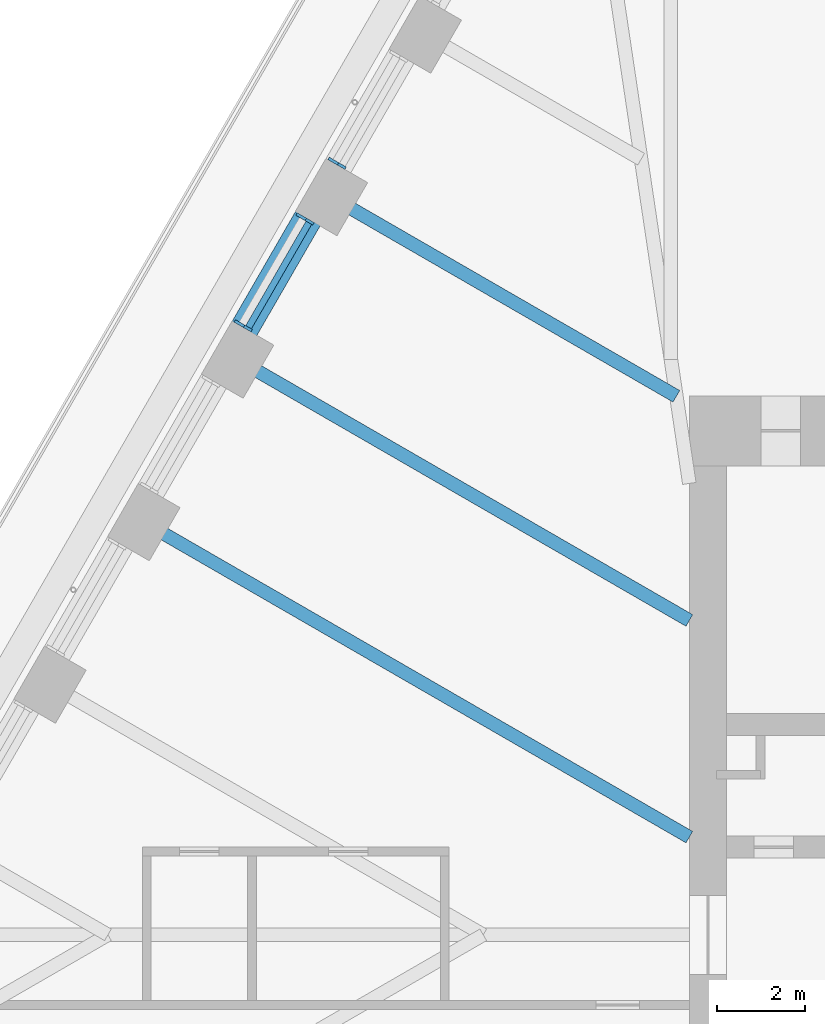
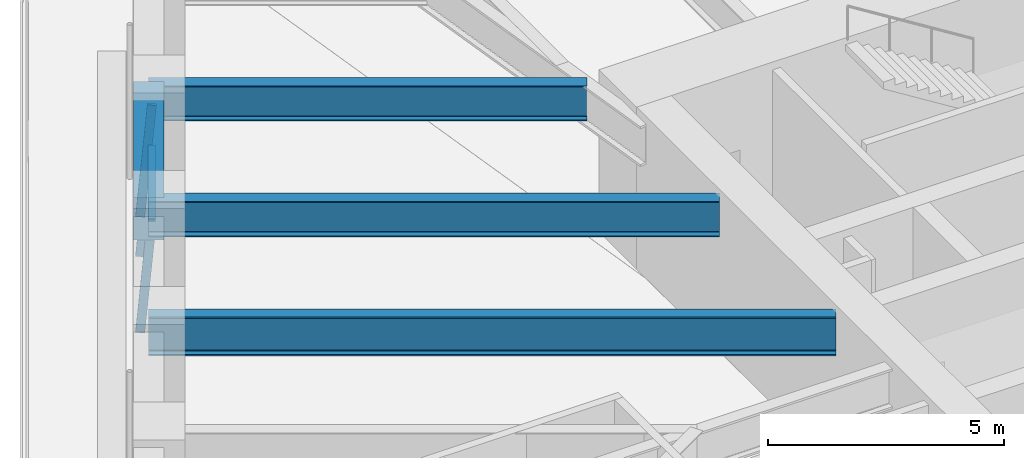
# One storey, part 7 of 19: 4 beams, 4 members, 2 elements without a shape of their own.
"""IFC4 building model written with IfcOpenShell, lengths in metres."""

from ifc_helpers import new_model, si_unit, direction, frame, origin, origin_2d, place, context, subcontext, project, spatial, rectangle, i_section, extrude, material, material_profile, profile_set, type_object, element, aggregate, save


model = new_model("IFC4")

# Units and contexts
model_context = context("Model", 3, precision=1e-05, world=origin(), true_north=direction((0.0, 1.0)))
body_context = subcontext(model_context, "Body", "Model", "MODEL_VIEW")
ifc_project = project(units=[si_unit("LENGTHUNIT", "METRE"), si_unit("AREAUNIT", "SQUARE_METRE"), si_unit("VOLUMEUNIT", "CUBIC_METRE"), si_unit("PLANEANGLEUNIT", "RADIAN"), si_unit("MASSUNIT", "GRAM", prefix="KILO")], contexts=[model_context])

# Site, building, storey
site_placement = place(None, origin())
site = spatial("IfcSite", under=ifc_project, at=site_placement, CompositionType="ELEMENT")
building_placement = place(site_placement, origin())
building = spatial("IfcBuilding", under=site, at=building_placement, Name="Tarfa Lantern Tower", CompositionType="ELEMENT")
storey_placement = place(building_placement, frame((0.0, 0.0, 328.300048828125)))
storey = spatial("IfcBuildingStorey", under=building, at=storey_placement, Name="L74", CompositionType="ELEMENT", Elevation=328.300048828125)

# Curtain wall, member
ifc_material_1 = material(Name="Aluminium framed curtain wall", Category="aluminium")
curtain_wall_type = type_object("IfcCurtainWallType", Name="CW4 CANTED GLAZING EXECUTIVE ZONE 2900", PredefinedType="USERDEFINED", material=ifc_material_1)
curtain_wall_1_placement = place(storey_placement, origin())
curtain_wall_1 = element("IfcCurtainWall", 1, at=curtain_wall_1_placement, inside=storey, type_object=curtain_wall_type, Name="CW4 NW L74", ObjectType="CURTAIN WALL", PredefinedType="USERDEFINED")
ifc_material_2 = material(Name="Aluminium mullion", Category="aluminium")
ifc_material_profile_1 = material_profile(ifc_material_2, rectangle(XDim=0.06494140625, YDim=0.199951171875, at=origin_2d()), Name="AL MULLION 65x200")
ifc_profile_set_1 = profile_set([ifc_material_profile_1], Name="Aluminium mullion")
member_type_1 = type_object("IfcMemberType", Name="CWM1 MULLION 65x200", PredefinedType="MULLION", material=ifc_profile_set_1)
member_1_placement = place(storey_placement, frame((-20.572265625, 17.667724609375, 0.0), z_axis=(0.074399820079, -0.042945555672, 0.996303340364), x_axis=(0.499919672301, 0.866071776036, 0.0)))
member_1 = element("IfcMember", 2, at=member_1_placement, type_object=member_type_1, Name="CW4 mullion 2", PredefinedType="MULLION", context=body_context, shape_type="SweptSolid", body=[
    extrude(rectangle(XDim=0.06494140625, YDim=0.199951171875, at=origin_2d()), origin(), (0.0, 0.0, 1.0), 2.91064453125),
])
aggregate(curtain_wall_1, [member_1])

# Curtain wall, members
curtain_wall_2_placement = place(storey_placement, origin())
curtain_wall_2 = element("IfcCurtainWall", 3, at=curtain_wall_2_placement, inside=storey, type_object=curtain_wall_type, Name="CW4 NW L74", ObjectType="CURTAIN WALL", PredefinedType="USERDEFINED")
member_2_placement = place(storey_placement, frame((-21.304931640625, 16.39892578125, 0.0), z_axis=(0.074399820079, -0.042945555672, 0.996303340364), x_axis=(0.499919672301, 0.866071776036, 0.0)))
member_2 = element("IfcMember", 4, at=member_2_placement, type_object=member_type_1, Name="CW4 mullion 1", PredefinedType="MULLION", context=body_context, shape_type="SweptSolid", body=[
    extrude(rectangle(XDim=0.06494140625, YDim=0.199951171875, at=origin_2d()), origin(), (0.0, 0.0, 1.0), 2.91064453125),
])
member_3_placement = place(storey_placement, frame((-22.71337890625, 13.95947265625, 0.0), z_axis=(0.074399820079, -0.042945555672, 0.996303340364), x_axis=(0.499919672301, 0.866071776036, 0.0)))
member_3 = element("IfcMember", 5, at=member_3_placement, type_object=member_type_1, Name="CW4 mullion 2", PredefinedType="MULLION", context=body_context, shape_type="SweptSolid", body=[
    extrude(rectangle(XDim=0.06494140625, YDim=0.199951171875, at=origin_2d()), origin(), (0.0, 0.0, 1.0), 2.91064453125),
])
ifc_material_3 = material(Name="Aluminium transom", Category="aluminium")
ifc_material_profile_2 = material_profile(ifc_material_3, rectangle(XDim=0.14990234375, YDim=0.06494140625, at=origin_2d()), Name="AL TRANSOM 150x65")
ifc_profile_set_2 = profile_set([ifc_material_profile_2], Name="Aluminium transom")
member_type_2 = type_object("IfcMemberType", Name="CWT1 TRANSOM 150x65", PredefinedType="USERDEFINED", material=ifc_profile_set_2)
member_4_placement = place(storey_placement, frame((-21.10693359375, 16.247314453125, 2.867431640625), z_axis=(-0.499993790352, -0.866028988896, 0.0), x_axis=(0.866028988896, -0.499993790352, 0.0)))
member_4 = element("IfcMember", 6, at=member_4_placement, type_object=member_type_2, Name="CW4 transom 1.2", ObjectType="TRANSOM", PredefinedType="USERDEFINED", context=body_context, shape_type="SweptSolid", body=[
    extrude(rectangle(XDim=0.14990234375, YDim=0.06494140625, at=origin_2d()), origin(), (0.0, 0.0, 1.0), 2.751953125),
])
aggregate(curtain_wall_2, [member_2, member_3, member_4])

# Beams
ifc_material_4 = material(Name="Concrete C80/95", Category="concrete")
ifc_material_profile_3 = material_profile(ifc_material_4, rectangle(XDim=0.64990234375, YDim=1.10009765625, at=origin_2d()), Name="RC 650x1100")
ifc_profile_set_3 = profile_set([ifc_material_profile_3], Name="Concrete C80/95")
beam_type_1 = type_object("IfcBeamType", Name="EB4 RC 650x1100", PredefinedType="SPANDREL", material=ifc_profile_set_3)
beam_1_placement = place(storey_placement, frame((-20.78271484375, 16.943359375, 3.449951171875), z_axis=(-0.499984039138, -0.866034618596, 0.0), x_axis=(0.866034618596, -0.499984039138, 0.0)))
element("IfcBeam", 7, at=beam_1_placement, inside=storey, type_object=beam_type_1, Name="Edge beam NW2", PredefinedType="SPANDREL", context=body_context, shape_type="SweptSolid", body=[
    extrude(rectangle(XDim=0.64990234375, YDim=1.10009765625, at=origin_2d()), origin(), (0.0, 0.0, 1.0), 4.281982421875),
])
ifc_material_5 = material(Name="Steel S460M", Category="steel")
ifc_material_profile_4 = material_profile(ifc_material_5, i_section(OverallWidth=0.302001953125, OverallDepth=1.008056640625, WebThickness=0.02099609375, FlangeThickness=0.0400390625, FilletRadius=0.030029296875, at=origin_2d()), Name="UB1016x305x349")
ifc_profile_set_4 = profile_set([ifc_material_profile_4], Name="Steel S460M")
beam_type_2 = type_object("IfcBeamType", Name="UB1016x305x349", PredefinedType="BEAM", material=ifc_profile_set_4)
beam_2_placement = place(storey_placement, frame((-25.064697265625, 9.526611328125, 3.495849609375), z_axis=(0.866029591389, -0.499992746786, 0.0), x_axis=(0.499992746786, 0.866029591389, 0.0)))
element("IfcBeam", 8, at=beam_2_placement, inside=storey, type_object=beam_type_2, Name="Floor beam NW4", PredefinedType="BEAM", context=body_context, shape_type="SweptSolid", body=[
    extrude(i_section(OverallWidth=0.302001953125, OverallDepth=1.008056640625, WebThickness=0.02099609375, FlangeThickness=0.0400390625, FilletRadius=0.030029296875, at=origin_2d()), origin(), (0.0, 0.0, 1.0), 14.594970703125),
])
ifc_material_profile_5 = material_profile(ifc_material_5, i_section(OverallWidth=0.305419921875, OverallDepth=0.91845703125, WebThickness=0.017333984375, FlangeThickness=0.02783203125, FilletRadius=0.01904296875, at=origin_2d()), Name="UB914x305x253")
ifc_profile_set_5 = profile_set([ifc_material_profile_5], Name="Steel S460M")
beam_type_3 = type_object("IfcBeamType", Name="UB914x305x253", PredefinedType="BEAM", material=ifc_profile_set_5)
beam_3_placement = place(storey_placement, frame((-20.78271484375, 16.943359375, 3.540771484375), z_axis=(0.866021806508, -0.500006230613, 0.0), x_axis=(0.500006230613, 0.866021806508, 0.0)))
element("IfcBeam", 9, at=beam_3_placement, inside=storey, type_object=beam_type_3, Name="Floor beam NW2", PredefinedType="BEAM", context=body_context, shape_type="SweptSolid", body=[
    extrude(i_section(OverallWidth=0.305419921875, OverallDepth=0.91845703125, WebThickness=0.017333984375, FlangeThickness=0.02783203125, FilletRadius=0.01904296875, at=origin_2d()), origin(), (0.0, 0.0, 1.0), 9.30908203125),
])
beam_4_placement = place(storey_placement, frame((-22.923583984375, 13.235107421875, 3.540771484375), z_axis=(0.86601856927, -0.500011837539, 0.0), x_axis=(0.500011837539, 0.86601856927, 0.0)))
element("IfcBeam", 10, at=beam_4_placement, inside=storey, type_object=beam_type_3, Name="Floor beam NW3", PredefinedType="BEAM", context=body_context, shape_type="SweptSolid", body=[
    extrude(i_section(OverallWidth=0.305419921875, OverallDepth=0.91845703125, WebThickness=0.017333984375, FlangeThickness=0.02783203125, FilletRadius=0.01904296875, at=origin_2d()), origin(), (0.0, 0.0, 1.0), 12.122802734375),
])

save(model, "model.ifc")
